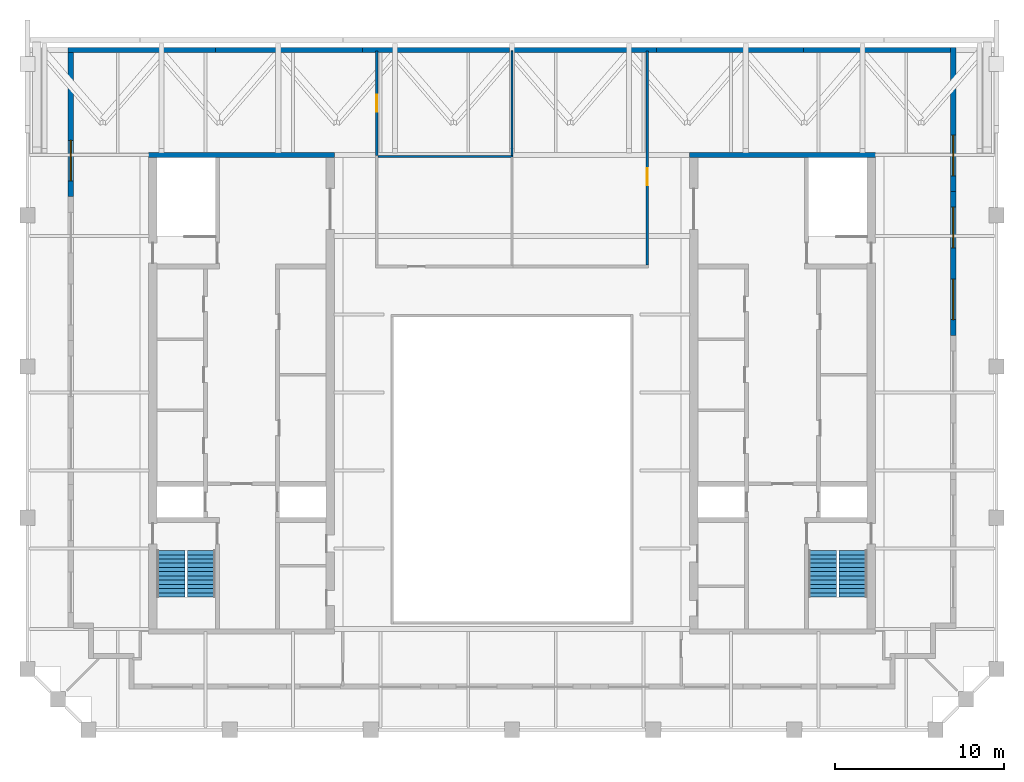
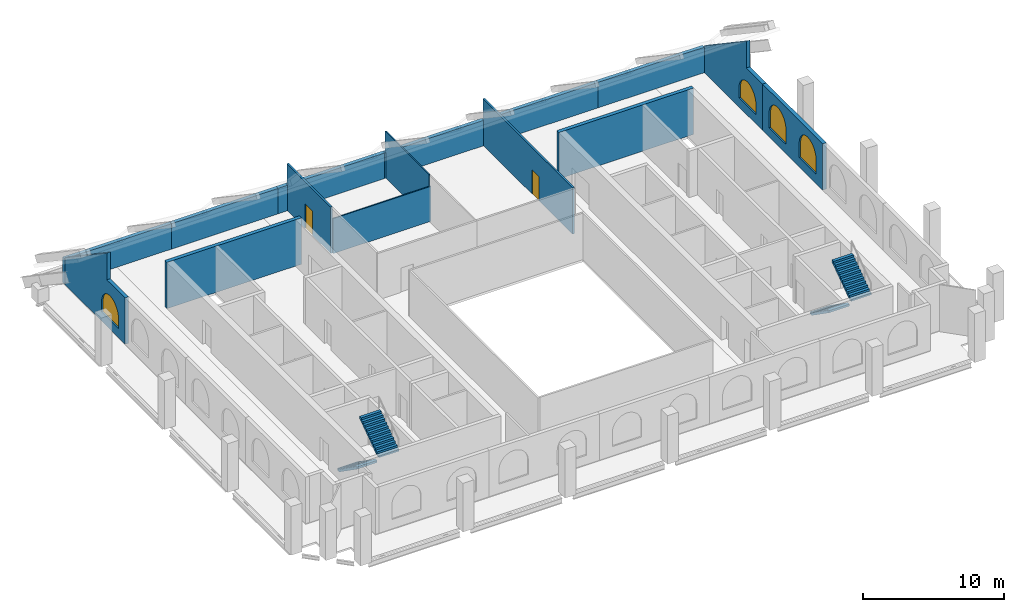
# One storey, part 6 of 7: 15 walls, 4 stair flights, 4 windows, 2 doors, 6 openings, 2 elements without a shape of their own.
"""IFC4 building model written with IfcOpenShell, lengths in metres."""

import ifcopenshell
import ifcopenshell.guid

model = None  # the IFC model being written
_history = None  # IfcOwnerHistory: only IFC2X3 demands one
_inside = {}  # id of a spatial element -> (the spatial element, [elements in it])
_under = {}  # id of a project, library or spatial element -> (it, [spatial elements below it])
_declared = {}  # id of a project -> (the project, [libraries it declares])
_typed = {}  # id of a type object -> (the type object, [elements of that type])
_made_of = {}  # id of a material, layer set ... -> (it, [elements and type objects made of it])


def new_model(schema):
    """Start an empty IFC model of exactly this schema.

    Asked for "IFC4X3", IfcOpenShell would pick the latest addendum, in which some entities
    have other attributes; the version numbers below select the first issue.
    IFC2X3 requires an IfcOwnerHistory on every rooted entity: one is made here for all.
    """
    global model, _history
    if schema == "IFC4X3":
        model = ifcopenshell.file(schema_version=(4, 3, 0, 0))
    else:
        model = ifcopenshell.file(schema=schema)
    _inside.clear()
    _under.clear()
    _declared.clear()
    _typed.clear()
    _made_of.clear()
    _history = None
    if model.schema == "IFC2X3":
        org = make("IfcOrganization", Name="unknown")
        user = make(
            "IfcPersonAndOrganization",
            ThePerson=make("IfcPerson", FamilyName="unknown"),
            TheOrganization=org,
        )
        app = make(
            "IfcApplication",
            ApplicationDeveloper=org,
            Version="unknown",
            ApplicationFullName="unknown",
            ApplicationIdentifier="unknown",
        )
        _history = make(
            "IfcOwnerHistory",
            OwningUser=user,
            OwningApplication=app,
            ChangeAction="ADDED",
            CreationDate=0,
        )
    return model


def make(cls, **values):
    """One entity of the class cls with the attributes given. An attribute that is None is left unset."""
    return model.create_entity(
        cls, **{name: value for name, value in values.items() if value is not None}
    )


def rooted(cls, **values):
    """An entity with a GlobalId (a new one), such as an element, a storey or a relation."""
    return make(cls, GlobalId=ifcopenshell.guid.new(), OwnerHistory=_history, **values)


def si_unit(unit_type, name, prefix=None):
    """IfcSIUnit, for example si_unit("LENGTHUNIT", "METRE", prefix="MILLI")."""
    return make("IfcSIUnit", UnitType=unit_type, Prefix=prefix, Name=name)


def assignment(units):
    """IfcUnitAssignment: the units of a project."""
    return None if units is None else make("IfcUnitAssignment", Units=units)


def point(xyz):
    """IfcCartesianPoint."""
    return None if xyz is None else make("IfcCartesianPoint", Coordinates=xyz)


def direction(xyz):
    """IfcDirection."""
    return None if xyz is None else make("IfcDirection", DirectionRatios=xyz)


def frame(location, z_axis=None, x_axis=None):
    """IfcAxis2Placement3D, a coordinate frame: its origin and axes. An axis left out is left unset."""
    return make(
        "IfcAxis2Placement3D",
        Location=point(location),
        Axis=direction(z_axis),
        RefDirection=direction(x_axis),
    )


def frame_2d(location, x_axis=None):
    """IfcAxis2Placement2D, a coordinate frame in the plane: its origin and x axis."""
    return make(
        "IfcAxis2Placement2D", Location=point(location), RefDirection=direction(x_axis)
    )


def origin():
    """The frame at (0, 0, 0) with its axes left unset."""
    return frame((0.0, 0.0, 0.0))


def place(relative_to, where):
    """IfcLocalPlacement: puts the frame where relative to a parent placement (None: the world)."""
    return make(
        "IfcLocalPlacement", PlacementRelTo=relative_to, RelativePlacement=where
    )


def context(
    kind, dimensions, precision=None, world=None, true_north=None, identifier=None
):
    """IfcGeometricRepresentationContext, for example the 3D "Model" context."""
    return make(
        "IfcGeometricRepresentationContext",
        ContextIdentifier=identifier,
        ContextType=kind,
        CoordinateSpaceDimension=dimensions,
        Precision=precision,
        WorldCoordinateSystem=world,
        TrueNorth=true_north,
    )


def subcontext(parent, identifier, kind, view, scale=None):
    """IfcGeometricRepresentationSubContext, for example "Body" below "Model"."""
    return make(
        "IfcGeometricRepresentationSubContext",
        ContextIdentifier=identifier,
        ContextType=kind,
        ParentContext=parent,
        TargetScale=scale,
        TargetView=view,
    )


def project(units=None, contexts=None):
    """IfcProject with its units and contexts."""
    return rooted(
        "IfcProject",
        Name="project",
        RepresentationContexts=contexts,
        UnitsInContext=assignment(units),
    )


def spatial(cls, under=None, at=None, **own):
    """A site, building, storey or space (cls), placed at a placement, below another one or the project."""
    s = rooted(cls, ObjectPlacement=at, **own)
    if under is not None:
        _under.setdefault(under.id(), (under, []))[1].append(s)
    return s


def polyline(points):
    """IfcPolyline through the points."""
    return make("IfcPolyline", Points=[point(p) for p in points])


def profile(cls, at=None, kind="AREA", **sizes):
    """A parametric profile (cls). Its sizes go by their IFC names, for example OverallWidth=200.0."""
    return make(cls, ProfileType=kind, Position=at, **sizes)


def rectangle(**sizes):
    """IfcRectangleProfileDef."""
    return profile("IfcRectangleProfileDef", **sizes)


def outline(outer, holes=None, kind="AREA"):
    """IfcArbitraryClosedProfileDef: a profile drawn as a closed curve; with holes, ...WithVoids."""
    if holes is None:
        return make("IfcArbitraryClosedProfileDef", ProfileType=kind, OuterCurve=outer)
    return make(
        "IfcArbitraryProfileDefWithVoids",
        ProfileType=kind,
        OuterCurve=outer,
        InnerCurves=holes,
    )


def extrude(swept, where, along, depth):
    """IfcExtrudedAreaSolid: the profile swept, set in the frame where, extruded along a direction by depth."""
    return make(
        "IfcExtrudedAreaSolid",
        SweptArea=swept,
        Position=where,
        ExtrudedDirection=direction(along),
        Depth=depth,
    )


def shape(context_of_items, identifier, shape_type, items):
    """IfcShapeRepresentation: the items that make up one representation, for example the "Body"."""
    return make(
        "IfcShapeRepresentation",
        ContextOfItems=context_of_items,
        RepresentationIdentifier=identifier,
        RepresentationType=shape_type,
        Items=items,
    )


def material(Name=None, Category=None):
    """IfcMaterial."""
    return make("IfcMaterial", Name=Name, Category=Category)


def layer(
    of_material, thickness, ventilated=None, Name=None, Category=None, Priority=None
):
    """IfcMaterialLayer: one layer of a wall or slab, of a material (None: an air gap)."""
    return make(
        "IfcMaterialLayer",
        Material=of_material,
        LayerThickness=thickness,
        IsVentilated=ventilated,
        Name=Name,
        Category=Category,
        Priority=Priority,
    )


def layer_set(layers, Name=None):
    """IfcMaterialLayerSet."""
    return make("IfcMaterialLayerSet", MaterialLayers=layers, LayerSetName=Name)


def made_of(thing, what):
    """Note that an element or type object is made of a material, layer set ...; save() writes the relation."""
    if what is not None:
        _made_of.setdefault(what.id(), (what, []))[1].append(thing)
    return thing


def type_object(cls, material=None, **own):
    """A type object (cls), such as IfcWallType, which elements share."""
    return made_of(rooted(cls, **own), material)


def element(
    cls,
    number,
    at=None,
    inside=None,
    cuts=None,
    type_object=None,
    material=None,
    context=None,
    identifier="Body",
    shape_type=None,
    held_by="IfcProductDefinitionShape",
    body=None,
    shapes=None,
    **own,
):
    """One element of the class cls, such as IfcWall. Its Tag is "e" and its number.

    at: its placement. inside: the storey or other place that contains it. cuts: it is an
    opening in that element (IfcRelVoidsElement). A single representation is given by context,
    identifier, shape_type and body (its items); several are given by shapes. held_by: the class
    of the entity that holds the representations. save() writes the other relations.
    """
    e = rooted(cls, Tag="e%d" % number, ObjectPlacement=at, **own)
    if body is not None:
        shapes = [shape(context, identifier, shape_type, body)]
    if shapes is not None:
        e.Representation = make(held_by, Representations=shapes)
    if inside is not None:
        _inside.setdefault(inside.id(), (inside, []))[1].append(e)
    if cuts is not None:
        rooted(
            "IfcRelVoidsElement", RelatingBuildingElement=cuts, RelatedOpeningElement=e
        )
    if type_object is not None:
        _typed.setdefault(type_object.id(), (type_object, []))[1].append(e)
    return made_of(e, material)


def fill(opening, filler):
    """IfcRelFillsElement: the door or window that sits in an opening."""
    return rooted(
        "IfcRelFillsElement",
        RelatingOpeningElement=opening,
        RelatedBuildingElement=filler,
    )


def aggregate(whole, parts):
    """IfcRelAggregates: a whole, such as a stair, and the parts it consists of."""
    return rooted("IfcRelAggregates", RelatingObject=whole, RelatedObjects=parts)


def save(model, path):
    """Write the relations noted so far, then the file.

    IfcRelAggregates (storeys below a building ...), IfcRelContainedInSpatialStructure (elements
    in a storey), IfcRelDefinesByType, IfcRelAssociatesMaterial and IfcRelDeclares: one each for
    every whole, place, type object, material and project.
    """
    for whole, parts in _under.values():
        aggregate(whole, parts)
    for where, things in _inside.values():
        rooted(
            "IfcRelContainedInSpatialStructure",
            RelatedElements=things,
            RelatingStructure=where,
        )
    for kind, things in _typed.values():
        rooted("IfcRelDefinesByType", RelatedObjects=things, RelatingType=kind)
    for what, things in _made_of.values():
        rooted("IfcRelAssociatesMaterial", RelatedObjects=things, RelatingMaterial=what)
    for by, libraries in _declared.values():
        rooted("IfcRelDeclares", RelatingContext=by, RelatedDefinitions=libraries)
    model.write(path)


model = new_model("IFC4")

# Units and contexts
model_context = context("Model", 3, precision=1e-05, world=origin(), true_north=direction((0.0, 1.0)))
body_context = subcontext(model_context, "Body", "Model", "MODEL_VIEW")
ifc_project = project(units=[si_unit("LENGTHUNIT", "METRE"), si_unit("AREAUNIT", "SQUARE_METRE"), si_unit("VOLUMEUNIT", "CUBIC_METRE"), si_unit("PLANEANGLEUNIT", "RADIAN"), si_unit("MASSUNIT", "GRAM", prefix="KILO")], contexts=[model_context])

# Site, building, storey
site_placement = place(None, origin())
site = spatial("IfcSite", under=ifc_project, at=site_placement, CompositionType="ELEMENT")
building_placement = place(site_placement, origin())
building = spatial("IfcBuilding", under=site, at=building_placement, Name="Ogive Exchange Tower", CompositionType="ELEMENT")
storey_placement = place(building_placement, frame((0.0, 0.0, 385.800048828125)))
storey = spatial("IfcBuildingStorey", under=building, at=storey_placement, Name="C05", CompositionType="ELEMENT", Elevation=385.800048828125)

# Wall, opening, door
ifc_material_1 = material(Name="Fire partition EI 60 150")
ifc_layer_1 = layer(ifc_material_1, 0.14990234375)
ifc_layer_set_1 = layer_set([ifc_layer_1], Name="Fire partition EI 60 150")
wall_type_1 = type_object("IfcWallType", Name="Fire partition EI 60 150", PredefinedType="PARTITIONING", material=ifc_layer_set_1)
wall_1_placement = place(storey_placement, frame((-8.0, 31.748046875, 0.0), z_axis=(0.0, 0.0, 1.0), x_axis=(0.0, -1.0, 0.0)))
wall_1 = element("IfcWall", 1, at=wall_1_placement, inside=storey, type_object=wall_type_1, Name="C05-PWL-006", PredefinedType="PARTITIONING", context=body_context, shape_type="SweptSolid", body=[
    extrude(rectangle(XDim=6.197998046875, YDim=0.14990234375, at=frame_2d((3.09912109375, 0.0))), origin(), (0.0, 0.0, 1.0), 4.0),
])
opening_1_placement = place(wall_1_placement, frame((2.597900390625, 0.0, 0.0)))
opening_1 = element("IfcOpeningElement", 2, at=opening_1_placement, cuts=wall_1, Name="Opening C05-I01", PredefinedType="OPENING", context=body_context, shape_type="SweptSolid", body=[
    extrude(rectangle(XDim=1.0, YDim=2.10009765625, at=frame_2d((0.5, 1.050048828125))), frame((0.0, 0.0849609375, 0.0), z_axis=(0.0, -1.0, 0.0), x_axis=(1.0, 0.0, 0.0)), (0.0, 0.0, 1.0), 0.169921875),
])
ifc_material_2 = material(Name="Fire door FD 30S 1000 x 2100")
door_type = type_object("IfcDoorType", Name="Fire door FD 30S 1000 x 2100", OperationType="NOTDEFINED", PredefinedType="DOOR", material=ifc_material_2)
door_1_placement = place(opening_1_placement, origin())
door_1 = element("IfcDoor", 3, at=door_1_placement, inside=storey, type_object=door_type, Name="C05-IDR-001", ObjectType="DT3", OperationType="SINGLE_SWING_RIGHT", OverallHeight=2.10009765625, OverallWidth=1.0, PredefinedType="DOOR", context=body_context, shape_type="SweptSolid", body=[
    extrude(rectangle(XDim=1.0, YDim=2.10009765625, at=frame_2d((0.5, 1.050048828125))), frame((0.0, 0.02490234375, 0.0), z_axis=(0.0, -1.0, 0.0), x_axis=(1.0, 0.0, 0.0)), (0.0, 0.0, 1.0), 0.050048828125),
])
fill(opening_1, door_1)

wall_2_placement = place(storey_placement, frame((8.0, 19.074951171875, 0.0), z_axis=(0.0, 0.0, 1.0), x_axis=(0.0, 1.0, 0.0)))
wall_2 = element("IfcWall", 4, at=wall_2_placement, inside=storey, type_object=wall_type_1, Name="C05-PWL-011", PredefinedType="PARTITIONING", context=body_context, shape_type="SweptSolid", body=[
    extrude(rectangle(XDim=12.673095703125, YDim=0.14990234375, at=frame_2d((6.33642578125, 0.0))), origin(), (0.0, 0.0, 1.0), 4.0),
])
opening_2_placement = place(wall_2_placement, frame((4.72509765625, 0.0, 0.0)))
opening_2 = element("IfcOpeningElement", 5, at=opening_2_placement, cuts=wall_2, Name="Opening C05-I03", PredefinedType="OPENING", context=body_context, shape_type="SweptSolid", body=[
    extrude(rectangle(XDim=1.0, YDim=2.10009765625, at=frame_2d((0.5, 1.050048828125))), frame((0.0, 0.0849609375, 0.0), z_axis=(0.0, -1.0, 0.0), x_axis=(1.0, 0.0, 0.0)), (0.0, 0.0, 1.0), 0.169921875),
])
door_2_placement = place(opening_2_placement, origin())
door_2 = element("IfcDoor", 6, at=door_2_placement, inside=storey, type_object=door_type, Name="C05-IDR-003", ObjectType="DT3", OperationType="SINGLE_SWING_RIGHT", OverallHeight=2.10009765625, OverallWidth=1.0, PredefinedType="DOOR", context=body_context, shape_type="SweptSolid", body=[
    extrude(rectangle(XDim=1.0, YDim=2.10009765625, at=frame_2d((0.5, 1.050048828125))), frame((0.0, 0.02490234375, 0.0), z_axis=(0.0, -1.0, 0.0), x_axis=(1.0, 0.0, 0.0)), (0.0, 0.0, 1.0), 0.050048828125),
])
fill(opening_2, door_2)

# Walls
ifc_material_3 = material(Name="Partition 100 gypsum")
ifc_layer_2 = layer(ifc_material_3, 0.10009765625)
ifc_layer_set_2 = layer_set([ifc_layer_2], Name="Partition 100 gypsum")
wall_type_2 = type_object("IfcWallType", Name="Partition 100 gypsum", PredefinedType="PARTITIONING", material=ifc_layer_set_2)
wall_3_placement = place(storey_placement, frame((0.050048828125, 25.5, 0.0), z_axis=(0.0, 0.0, 1.0), x_axis=(-1.0, 0.0, 0.0)))
element("IfcWall", 7, at=wall_3_placement, inside=storey, type_object=wall_type_2, Name="C05-PWL-008", PredefinedType="PARTITIONING", context=body_context, shape_type="SweptSolid", body=[
    extrude(rectangle(XDim=7.97509765625, YDim=0.10009765625, at=frame_2d((3.987548828125, 0.0))), origin(), (0.0, 0.0, 1.0), 3.02001953125),
])
wall_4_placement = place(storey_placement, frame((0.0, 31.748046875, 0.0), z_axis=(0.0, 0.0, 1.0), x_axis=(0.0, -1.0, 0.0)))
element("IfcWall", 8, at=wall_4_placement, inside=storey, type_object=wall_type_2, Name="C05-PWL-010", PredefinedType="PARTITIONING", context=body_context, shape_type="SweptSolid", body=[
    extrude(rectangle(XDim=6.197998046875, YDim=0.10009765625, at=frame_2d((3.09912109375, 0.0))), origin(), (0.0, 0.0, 1.0), 4.0),
])
ifc_material_4 = material(Name="Concrete C70/85", Category="concrete")
ifc_layer_3 = layer(ifc_material_4, 0.300048828125)
ifc_layer_set_3 = layer_set([ifc_layer_3], Name="RC core wall 300 C70/85")
wall_type_3 = type_object("IfcWallType", Name="RC core wall 300 C70/85", PredefinedType="SHEAR", material=ifc_layer_set_3)
for number, where, z_axis, x_axis, name in (
    (9, (-21.5, 25.60009765625, 0.0), (0.0, 0.0, 1.0), (1.0, 0.0, 0.0), "W north end wall"),
    (10, (10.5, 25.60009765625, 0.0), (0.0, 0.0, 1.0), (1.0, 0.0, 0.0), "E north end wall"),
):
    element("IfcWall", number, at=place(storey_placement, frame(where, z_axis=z_axis, x_axis=x_axis)), inside=storey, type_object=wall_type_3, Name=name, PredefinedType="SHEAR", context=body_context, shape_type="SweptSolid", body=[
        extrude(rectangle(XDim=11.0, YDim=0.300048828125, at=frame_2d((5.5, 0.0))), origin(), (0.0, 0.0, 1.0), 4.0),
    ])

# Wall, openings, windows
ifc_material_5 = material(Name="Precast concrete C40/50", Category="concrete")
ifc_layer_4 = layer(ifc_material_5, 0.300048828125)
ifc_layer_set_4 = layer_set([ifc_layer_4], Name="Zinc-clad crown wall 300")
wall_type_4 = type_object("IfcWallType", Name="Zinc-clad crown wall 300", PredefinedType="STANDARD", material=ifc_layer_set_4)
wall_5_placement = place(storey_placement, frame((26.10009765625, 14.923828125, 0.0), z_axis=(0.0, 0.0, 1.0), x_axis=(0.0, 1.0, 0.0)))
wall_5 = element("IfcWall", 11, at=wall_5_placement, inside=storey, type_object=wall_type_4, Name="Crown wall 15", PredefinedType="STANDARD", context=body_context, shape_type="SweptSolid", body=[
    extrude(rectangle(XDim=8.511962890625, YDim=0.300048828125, at=frame_2d((4.255859375, 0.0))), origin(), (0.0, 0.0, 1.0), 4.0),
])
opening_3_placement = place(wall_5_placement, frame((0.927978515625, 0.0, 0.800048828125)))
opening_3 = element("IfcOpeningElement", 12, at=opening_3_placement, cuts=wall_5, Name="Opening WC25", PredefinedType="OPENING", context=body_context, shape_type="SweptSolid", body=[
    extrude(outline(polyline([(0.0, 0.0), (2.39990234375, 0.0), (2.39990234375, 1.25), (2.377197265625, 1.48779296875), (2.3095703125, 1.717041015625), (2.19970703125, 1.928955078125), (2.05126953125, 2.116455078125), (1.8701171875, 2.272216796875), (1.662841796875, 2.390625), (1.4365234375, 2.467529296875), (1.199951171875, 2.5), (0.96337890625, 2.467529296875), (0.737060546875, 2.390625), (0.52978515625, 2.272216796875), (0.3486328125, 2.116455078125), (0.2001953125, 1.928955078125), (0.09033203125, 1.717041015625), (0.022705078125, 1.48779296875), (0.0, 1.25), (0.0, 0.0)])), frame((0.0, 0.159912109375, 0.0), z_axis=(0.0, -1.0, 0.0), x_axis=(1.0, 0.0, 0.0)), (0.0, 0.0, 1.0), 0.320068359375),
])
opening_4_placement = place(wall_5_placement, frame((5.183837890625, 0.0, 0.800048828125)))
opening_4 = element("IfcOpeningElement", 13, at=opening_4_placement, cuts=wall_5, Name="Opening WC25", PredefinedType="OPENING", context=body_context, shape_type="SweptSolid", body=[
    extrude(outline(polyline([(0.0, 0.0), (2.39990234375, 0.0), (2.39990234375, 1.25), (2.377197265625, 1.48779296875), (2.3095703125, 1.717041015625), (2.19970703125, 1.928955078125), (2.05126953125, 2.116455078125), (1.8701171875, 2.272216796875), (1.662841796875, 2.390625), (1.4365234375, 2.467529296875), (1.199951171875, 2.5), (0.96337890625, 2.467529296875), (0.737060546875, 2.390625), (0.52978515625, 2.272216796875), (0.3486328125, 2.116455078125), (0.2001953125, 1.928955078125), (0.09033203125, 1.717041015625), (0.022705078125, 1.48779296875), (0.0, 1.25), (0.0, 0.0)])), frame((0.0, 0.159912109375, 0.0), z_axis=(0.0, -1.0, 0.0), x_axis=(1.0, 0.0, 0.0)), (0.0, 0.0, 1.0), 0.320068359375),
])
ifc_material_6 = material(Name="Clear glass in bronze frame", Category="glass")
window_type_1 = type_object("IfcWindowType", Name="Crown lancet window 2400 x 2500", PartitioningType="DOUBLE_PANEL_VERTICAL", PredefinedType="WINDOW", material=ifc_material_6)
window_1_placement = place(opening_3_placement, origin())
window_1 = element("IfcWindow", 14, at=window_1_placement, inside=storey, type_object=window_type_1, Name="Crown lancet 15.1", OverallHeight=2.5, OverallWidth=2.39990234375, PartitioningType="DOUBLE_PANEL_VERTICAL", PredefinedType="WINDOW", context=body_context, shape_type="SweptSolid", body=[
    extrude(outline(polyline([(0.0, 0.0), (2.39990234375, 0.0), (2.39990234375, 1.25), (2.377197265625, 1.48779296875), (2.3095703125, 1.717041015625), (2.19970703125, 1.928955078125), (2.05126953125, 2.116455078125), (1.8701171875, 2.272216796875), (1.662841796875, 2.390625), (1.4365234375, 2.467529296875), (1.199951171875, 2.5), (0.96337890625, 2.467529296875), (0.737060546875, 2.390625), (0.52978515625, 2.272216796875), (0.3486328125, 2.116455078125), (0.2001953125, 1.928955078125), (0.09033203125, 1.717041015625), (0.022705078125, 1.48779296875), (0.0, 1.25), (0.0, 0.0)])), frame((0.0, 0.030029296875, 0.0), z_axis=(0.0, -1.0, 0.0), x_axis=(1.0, 0.0, 0.0)), (0.0, 0.0, 1.0), 0.06005859375),
])
fill(opening_3, window_1)
window_2_placement = place(opening_4_placement, origin())
window_2 = element("IfcWindow", 15, at=window_2_placement, inside=storey, type_object=window_type_1, Name="Crown lancet 15.2", OverallHeight=2.5, OverallWidth=2.39990234375, PartitioningType="DOUBLE_PANEL_VERTICAL", PredefinedType="WINDOW", context=body_context, shape_type="SweptSolid", body=[
    extrude(outline(polyline([(0.0, 0.0), (2.39990234375, 0.0), (2.39990234375, 1.25), (2.377197265625, 1.48779296875), (2.3095703125, 1.717041015625), (2.19970703125, 1.928955078125), (2.05126953125, 2.116455078125), (1.8701171875, 2.272216796875), (1.662841796875, 2.390625), (1.4365234375, 2.467529296875), (1.199951171875, 2.5), (0.96337890625, 2.467529296875), (0.737060546875, 2.390625), (0.52978515625, 2.272216796875), (0.3486328125, 2.116455078125), (0.2001953125, 1.928955078125), (0.09033203125, 1.717041015625), (0.022705078125, 1.48779296875), (0.0, 1.25), (0.0, 0.0)])), frame((0.0, 0.030029296875, 0.0), z_axis=(0.0, -1.0, 0.0), x_axis=(1.0, 0.0, 0.0)), (0.0, 0.0, 1.0), 0.06005859375),
])
fill(opening_4, window_2)

# Wall, opening, window
wall_6_placement = place(storey_placement, frame((26.10009765625, 23.435791015625, 0.0), z_axis=(0.0, 0.0, 1.0), x_axis=(0.0, 1.0, 0.0)))
wall_6 = element("IfcWall", 16, at=wall_6_placement, inside=storey, type_object=wall_type_4, Name="Crown wall 16", PredefinedType="STANDARD", context=body_context, shape_type="SweptSolid", body=[
    extrude(outline(polyline([(0.0, 0.0), (8.51171875, 0.0), (8.511962890625, 2.098388671875), (5.692626953125, 4.0), (2.30517578125, 6.284912109375), (2.28515625, 6.2978515625), (2.28515625, 4.0), (0.0, 4.0), (0.0, 0.0)])), frame((0.0, 0.14990234375, 0.0), z_axis=(0.0, -1.0, 0.0), x_axis=(1.0, 0.0, 0.0)), (0.0, 0.0, 1.0), 0.300048828125),
])
opening_5_placement = place(wall_6_placement, frame((0.927978515625, 0.0, 0.800048828125)))
opening_5 = element("IfcOpeningElement", 17, at=opening_5_placement, cuts=wall_6, Name="Opening WC25A", PredefinedType="OPENING", context=body_context, shape_type="SweptSolid", body=[
    extrude(outline(polyline([(0.0, 0.0), (2.39990234375, 0.0), (2.39990234375, 0.85009765625), (2.377197265625, 1.087890625), (2.3095703125, 1.317138671875), (2.19970703125, 1.529052734375), (2.05126953125, 1.716552734375), (1.8701171875, 1.872314453125), (1.662841796875, 1.99072265625), (1.4365234375, 2.067626953125), (1.199951171875, 2.10009765625), (0.96337890625, 2.067626953125), (0.737060546875, 1.99072265625), (0.52978515625, 1.872314453125), (0.3486328125, 1.716552734375), (0.2001953125, 1.529052734375), (0.09033203125, 1.317138671875), (0.022705078125, 1.087890625), (0.0, 0.85009765625), (0.0, 0.0)])), frame((0.0, 0.159912109375, 0.0), z_axis=(0.0, -1.0, 0.0), x_axis=(1.0, 0.0, 0.0)), (0.0, 0.0, 1.0), 0.320068359375),
])
window_type_2 = type_object("IfcWindowType", Name="Crown lancet window 2400 x 2100", PartitioningType="DOUBLE_PANEL_VERTICAL", PredefinedType="WINDOW", material=ifc_material_6)
window_3_placement = place(opening_5_placement, origin())
window_3 = element("IfcWindow", 18, at=window_3_placement, inside=storey, type_object=window_type_2, Name="Crown lancet 16.1", OverallHeight=2.10009765625, OverallWidth=2.39990234375, PartitioningType="DOUBLE_PANEL_VERTICAL", PredefinedType="WINDOW", context=body_context, shape_type="SweptSolid", body=[
    extrude(outline(polyline([(0.0, 0.0), (2.39990234375, 0.0), (2.39990234375, 0.85009765625), (2.377197265625, 1.087890625), (2.3095703125, 1.317138671875), (2.19970703125, 1.529052734375), (2.05126953125, 1.716552734375), (1.8701171875, 1.872314453125), (1.662841796875, 1.99072265625), (1.4365234375, 2.067626953125), (1.199951171875, 2.10009765625), (0.96337890625, 2.067626953125), (0.737060546875, 1.99072265625), (0.52978515625, 1.872314453125), (0.3486328125, 1.716552734375), (0.2001953125, 1.529052734375), (0.09033203125, 1.317138671875), (0.022705078125, 1.087890625), (0.0, 0.85009765625), (0.0, 0.0)])), frame((0.0, 0.030029296875, 0.0), z_axis=(0.0, -1.0, 0.0), x_axis=(1.0, 0.0, 0.0)), (0.0, 0.0, 1.0), 0.06005859375),
])
fill(opening_5, window_3)

# Walls
for number, where, z_axis, x_axis, name in (
    (19, (25.949951171875, 31.797607421875, 0.0), (0.0, 0.0, 1.0), (-1.0, 0.0, 0.0), "Crown wall 17"),
    (20, (17.25, 31.797607421875, 0.0), (0.0, 0.0, 1.0), (-1.0, 0.0, 0.0), "Crown wall 18"),
    (21, (8.550048828125, 31.797607421875, 0.0), (0.0, 0.0, 1.0), (-1.0, 0.0, 0.0), "Crown wall 19"),
):
    element("IfcWall", number, at=place(storey_placement, frame(where, z_axis=z_axis, x_axis=x_axis)), inside=storey, type_object=wall_type_4, Name=name, PredefinedType="STANDARD", context=body_context, shape_type="SweptSolid", body=[
        extrude(rectangle(XDim=8.699951171875, YDim=0.300048828125, at=frame_2d((4.35009765625, 0.0))), origin(), (0.0, 0.0, 1.0), 2.199462890625),
    ])
wall_7_placement = place(storey_placement, frame((-0.14990234375, 31.797607421875, 0.0), z_axis=(0.0, 0.0, 1.0), x_axis=(-1.0, 0.0, 0.0)))
element("IfcWall", 22, at=wall_7_placement, inside=storey, type_object=wall_type_4, Name="Crown wall 20", PredefinedType="STANDARD", context=body_context, shape_type="SweptSolid", body=[
    extrude(rectangle(XDim=8.7001953125, YDim=0.300048828125, at=frame_2d((4.35009765625, 0.0))), origin(), (0.0, 0.0, 1.0), 2.199462890625),
])
for number, where, z_axis, x_axis, name in (
    (23, (-8.85009765625, 31.797607421875, 0.0), (0.0, 0.0, 1.0), (-1.0, 0.0, 0.0), "Crown wall 21"),
    (24, (-17.550048828125, 31.797607421875, 0.0), (0.0, 0.0, 1.0), (-1.0, 0.0, 0.0), "Crown wall 22"),
):
    element("IfcWall", number, at=place(storey_placement, frame(where, z_axis=z_axis, x_axis=x_axis)), inside=storey, type_object=wall_type_4, Name=name, PredefinedType="STANDARD", context=body_context, shape_type="SweptSolid", body=[
        extrude(rectangle(XDim=8.699951171875, YDim=0.300048828125, at=frame_2d((4.35009765625, 0.0))), origin(), (0.0, 0.0, 1.0), 2.199462890625),
    ])

# Wall, opening, window
wall_8_placement = place(storey_placement, frame((-26.10009765625, 31.647705078125, 0.0), z_axis=(0.0, 0.0, 1.0), x_axis=(0.0, -1.0, 0.0)))
wall_8 = element("IfcWall", 25, at=wall_8_placement, inside=storey, type_object=wall_type_4, Name="Crown wall 23", PredefinedType="STANDARD", context=body_context, shape_type="SweptSolid", body=[
    extrude(outline(polyline([(0.0, 0.0), (8.511962890625, 0.0), (8.511962890625, 4.0), (5.9267578125, 4.0), (5.9267578125, 6.2978515625), (5.90673828125, 6.284912109375), (2.519287109375, 4.0), (0.0, 2.30078125), (0.0, 0.0)])), frame((0.0, 0.14990234375, 0.0), z_axis=(0.0, -1.0, 0.0), x_axis=(1.0, 0.0, 0.0)), (0.0, 0.0, 1.0), 0.300048828125),
])
opening_6_placement = place(wall_8_placement, frame((5.183837890625, 0.0, 0.800048828125)))
opening_6 = element("IfcOpeningElement", 26, at=opening_6_placement, cuts=wall_8, Name="Opening WC25A", PredefinedType="OPENING", context=body_context, shape_type="SweptSolid", body=[
    extrude(outline(polyline([(0.0, 0.0), (2.39990234375, 0.0), (2.39990234375, 0.85009765625), (2.377197265625, 1.087890625), (2.3095703125, 1.317138671875), (2.19970703125, 1.529052734375), (2.05126953125, 1.716552734375), (1.8701171875, 1.872314453125), (1.662841796875, 1.99072265625), (1.4365234375, 2.067626953125), (1.199951171875, 2.10009765625), (0.96337890625, 2.067626953125), (0.737060546875, 1.99072265625), (0.52978515625, 1.872314453125), (0.3486328125, 1.716552734375), (0.2001953125, 1.529052734375), (0.09033203125, 1.317138671875), (0.022705078125, 1.087890625), (0.0, 0.85009765625), (0.0, 0.0)])), frame((0.0, 0.159912109375, 0.0), z_axis=(0.0, -1.0, 0.0), x_axis=(1.0, 0.0, 0.0)), (0.0, 0.0, 1.0), 0.320068359375),
])
window_4_placement = place(opening_6_placement, origin())
window_4 = element("IfcWindow", 27, at=window_4_placement, inside=storey, type_object=window_type_2, Name="Crown lancet 23.2", OverallHeight=2.10009765625, OverallWidth=2.39990234375, PartitioningType="DOUBLE_PANEL_VERTICAL", PredefinedType="WINDOW", context=body_context, shape_type="SweptSolid", body=[
    extrude(outline(polyline([(0.0, 0.0), (2.39990234375, 0.0), (2.39990234375, 0.85009765625), (2.377197265625, 1.087890625), (2.3095703125, 1.317138671875), (2.19970703125, 1.529052734375), (2.05126953125, 1.716552734375), (1.8701171875, 1.872314453125), (1.662841796875, 1.99072265625), (1.4365234375, 2.067626953125), (1.199951171875, 2.10009765625), (0.96337890625, 2.067626953125), (0.737060546875, 1.99072265625), (0.52978515625, 1.872314453125), (0.3486328125, 1.716552734375), (0.2001953125, 1.529052734375), (0.09033203125, 1.317138671875), (0.022705078125, 1.087890625), (0.0, 0.85009765625), (0.0, 0.0)])), frame((0.0, 0.030029296875, 0.0), z_axis=(0.0, -1.0, 0.0), x_axis=(1.0, 0.0, 0.0)), (0.0, 0.0, 1.0), 0.06005859375),
])
fill(opening_6, window_4)

# Stair, stair flights
ifc_material_7 = material(Name="Concrete C40/50", Category="concrete")
stair_type = type_object("IfcStairType", Name="Exit stair 1650 wide", PredefinedType="HALF_TURN_STAIR", material=ifc_material_7)
stair_1_placement = place(storey_placement, origin())
stair_1 = element("IfcStair", 28, at=stair_1_placement, inside=storey, type_object=stair_type, Name="C05 exit stair ST1", PredefinedType="HALF_TURN_STAIR")
stair_flight_type = type_object("IfcStairFlightType", Name="Stair flight 1650 wide", PredefinedType="STRAIGHT", material=ifc_material_7)
stair_flight_1_placement = place(storey_placement, frame((-20.175048828125, 2.199951171875, 0.0), z_axis=(0.0, 0.0, 1.0), x_axis=(0.0, -1.0, 0.0)))
stair_flight_1 = element("IfcStairFlight", 29, at=stair_flight_1_placement, type_object=stair_flight_type, Name="ST1 flight 1", NumberOfRisers=12, NumberOfTreads=11, PredefinedType="STRAIGHT", RiserHeight=0.175, TreadLength=0.25, context=body_context, shape_type="SweptSolid", body=[
    extrude(outline(polyline([(0.0, 0.0), (0.0, 0.175048828125), (0.25, 0.175048828125), (0.25, 0.35009765625), (0.5, 0.35009765625), (0.5, 0.52490234375), (0.75, 0.52490234375), (0.75, 0.699951171875), (1.0, 0.699951171875), (1.0, 0.875), (1.25, 0.875), (1.25, 1.050048828125), (1.5, 1.050048828125), (1.5, 1.22509765625), (1.75, 1.22509765625), (1.75, 1.39990234375), (2.0, 1.39990234375), (2.0, 1.574951171875), (2.25, 1.574951171875), (2.25, 1.75), (2.5, 1.75), (2.5, 1.925048828125), (2.75, 1.925048828125), (2.75, 2.10009765625), (2.75, 1.741943359375), (0.261474609375, 0.0), (0.0, 0.0)])), frame((0.0, 0.824951171875, 0.0), z_axis=(0.0, -1.0, 0.0), x_axis=(1.0, 0.0, 0.0)), (0.0, 0.0, 1.0), 1.64990234375),
])
stair_flight_2_placement = place(storey_placement, frame((-18.375, -0.550048828125, 2.099853515625), z_axis=(0.0, 0.0, 1.0), x_axis=(0.0, 1.0, 0.0)))
stair_flight_2 = element("IfcStairFlight", 30, at=stair_flight_2_placement, type_object=stair_flight_type, Name="ST1 flight 2", NumberOfRisers=12, NumberOfTreads=11, PredefinedType="STRAIGHT", RiserHeight=0.175, TreadLength=0.25, context=body_context, shape_type="SweptSolid", body=[
    extrude(outline(polyline([(0.0, 0.0), (0.0, 0.175048828125), (0.25, 0.175048828125), (0.25, 0.35009765625), (0.5, 0.35009765625), (0.5, 0.52490234375), (0.75, 0.52490234375), (0.75, 0.699951171875), (1.0, 0.699951171875), (1.0, 0.875), (1.25, 0.875), (1.25, 1.050048828125), (1.5, 1.050048828125), (1.5, 1.22509765625), (1.75, 1.22509765625), (1.75, 1.39990234375), (2.0, 1.39990234375), (2.0, 1.574951171875), (2.25, 1.574951171875), (2.25, 1.75), (2.5, 1.75), (2.5, 1.925048828125), (2.75, 1.925048828125), (2.75, 2.10009765625), (2.75, 1.741943359375), (0.261474609375, 0.0), (0.0, 0.0)])), frame((0.0, 0.824951171875, 0.0), z_axis=(0.0, -1.0, 0.0), x_axis=(1.0, 0.0, 0.0)), (0.0, 0.0, 1.0), 1.64990234375),
])
aggregate(stair_1, [stair_flight_1, stair_flight_2])

stair_2_placement = place(storey_placement, origin())
stair_2 = element("IfcStair", 31, at=stair_2_placement, inside=storey, type_object=stair_type, Name="C05 exit stair ST3", PredefinedType="HALF_TURN_STAIR")
stair_flight_3_placement = place(storey_placement, frame((18.375, 2.199951171875, 0.0), z_axis=(0.0, 0.0, 1.0), x_axis=(0.0, -1.0, 0.0)))
stair_flight_3 = element("IfcStairFlight", 32, at=stair_flight_3_placement, type_object=stair_flight_type, Name="ST3 flight 1", NumberOfRisers=12, NumberOfTreads=11, PredefinedType="STRAIGHT", RiserHeight=0.175, TreadLength=0.25, context=body_context, shape_type="SweptSolid", body=[
    extrude(outline(polyline([(0.0, 0.0), (0.0, 0.175048828125), (0.25, 0.175048828125), (0.25, 0.35009765625), (0.5, 0.35009765625), (0.5, 0.52490234375), (0.75, 0.52490234375), (0.75, 0.699951171875), (1.0, 0.699951171875), (1.0, 0.875), (1.25, 0.875), (1.25, 1.050048828125), (1.5, 1.050048828125), (1.5, 1.22509765625), (1.75, 1.22509765625), (1.75, 1.39990234375), (2.0, 1.39990234375), (2.0, 1.574951171875), (2.25, 1.574951171875), (2.25, 1.75), (2.5, 1.75), (2.5, 1.925048828125), (2.75, 1.925048828125), (2.75, 2.10009765625), (2.75, 1.741943359375), (0.261474609375, 0.0), (0.0, 0.0)])), frame((0.0, 0.824951171875, 0.0), z_axis=(0.0, -1.0, 0.0), x_axis=(1.0, 0.0, 0.0)), (0.0, 0.0, 1.0), 1.64990234375),
])
stair_flight_4_placement = place(storey_placement, frame((20.175048828125, -0.550048828125, 2.099853515625), z_axis=(0.0, 0.0, 1.0), x_axis=(0.0, 1.0, 0.0)))
stair_flight_4 = element("IfcStairFlight", 33, at=stair_flight_4_placement, type_object=stair_flight_type, Name="ST3 flight 2", NumberOfRisers=12, NumberOfTreads=11, PredefinedType="STRAIGHT", RiserHeight=0.175, TreadLength=0.25, context=body_context, shape_type="SweptSolid", body=[
    extrude(outline(polyline([(0.0, 0.0), (0.0, 0.175048828125), (0.25, 0.175048828125), (0.25, 0.35009765625), (0.5, 0.35009765625), (0.5, 0.52490234375), (0.75, 0.52490234375), (0.75, 0.699951171875), (1.0, 0.699951171875), (1.0, 0.875), (1.25, 0.875), (1.25, 1.050048828125), (1.5, 1.050048828125), (1.5, 1.22509765625), (1.75, 1.22509765625), (1.75, 1.39990234375), (2.0, 1.39990234375), (2.0, 1.574951171875), (2.25, 1.574951171875), (2.25, 1.75), (2.5, 1.75), (2.5, 1.925048828125), (2.75, 1.925048828125), (2.75, 2.10009765625), (2.75, 1.741943359375), (0.261474609375, 0.0), (0.0, 0.0)])), frame((0.0, 0.824951171875, 0.0), z_axis=(0.0, -1.0, 0.0), x_axis=(1.0, 0.0, 0.0)), (0.0, 0.0, 1.0), 1.64990234375),
])
aggregate(stair_2, [stair_flight_3, stair_flight_4])

save(model, "model.ifc")
